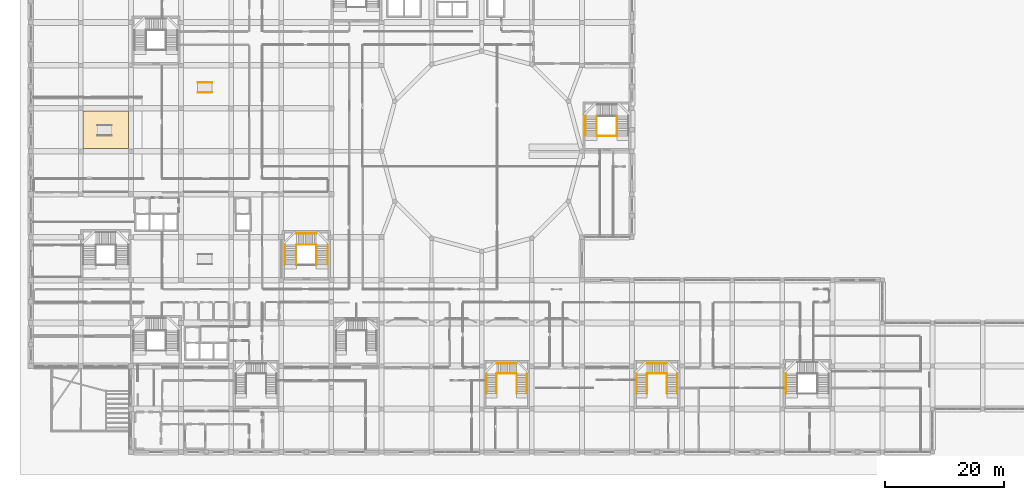
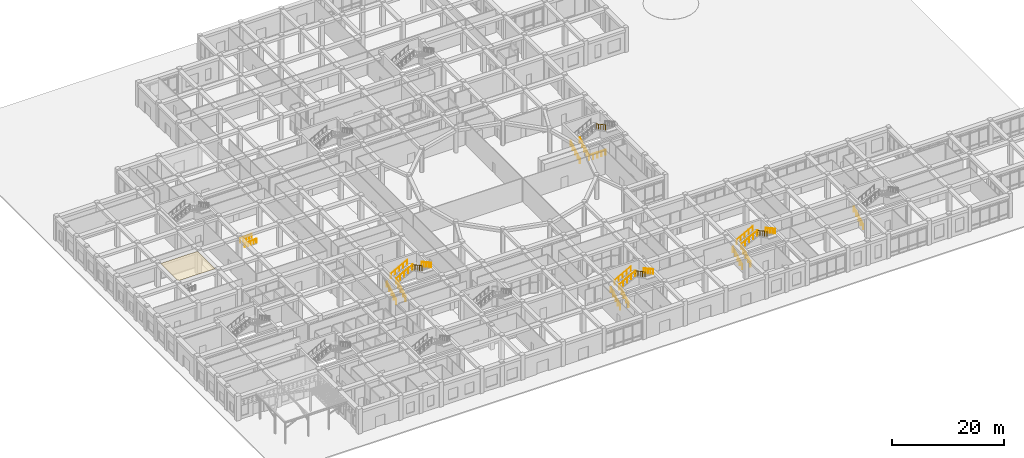
# One storey, part 81 of 84: 25 railings, 1 covering.
"""IFC4 building model written with IfcOpenShell, lengths in metres."""

from ifc_helpers import new_model, si_unit, derived_unit, direction, frame, origin, origin_2d, place, context, subcontext, project, spatial, polyline, circle, outline, extrude, material, layer, layer_set, type_object, element, save


model = new_model("IFC4")

# Units and contexts
model_context = context("Model", 3, precision=1e-05, world=origin(), true_north=direction((0.0, 1.0)))
body_context = subcontext(model_context, "Body", "Model", "MODEL_VIEW")
ifc_project = project(units=[si_unit("LENGTHUNIT", "METRE"), si_unit("AREAUNIT", "SQUARE_METRE"), si_unit("VOLUMEUNIT", "CUBIC_METRE"), si_unit("PLANEANGLEUNIT", "RADIAN"), si_unit("MASSUNIT", "GRAM", prefix="KILO"), derived_unit("THERMALTRANSMITTANCEUNIT", [(si_unit("POWERUNIT", "WATT"), 1), (si_unit("LENGTHUNIT", "METRE"), -2), (si_unit("THERMODYNAMICTEMPERATUREUNIT", "KELVIN"), -1)])], contexts=[model_context])

# Site, building, storey
site_placement = place(None, origin())
site = spatial("IfcSite", under=ifc_project, at=site_placement, CompositionType="ELEMENT")
building_placement = place(site_placement, origin())
building = spatial("IfcBuilding", under=site, at=building_placement, Name="Veybourne Emporium", CompositionType="ELEMENT")
storey_placement = place(building_placement, origin())
storey = spatial("IfcBuildingStorey", under=building, at=storey_placement, Name="L00", CompositionType="ELEMENT", Elevation=0.0)

# Covering
ifc_material_1 = material(Name="Mineral Acoustic Ceiling", Category="gypsum")
ifc_layer = layer(ifc_material_1, 0.02490234375)
ifc_layer_set = layer_set([ifc_layer], Name="Mineral Acoustic Ceiling")
covering_type = type_object("IfcCoveringType", Name="Ceiling_CLG-01", PredefinedType="CEILING", material=ifc_layer_set)
covering_placement = place(storey_placement, frame((0.0, 0.0, 5.054931640625)))
element("IfcCovering", 1, at=covering_placement, inside=storey, type_object=covering_type, Name="L00 coffered acoustic ceiling 03", PredefinedType="CEILING", context=body_context, shape_type="SweptSolid", body=[
    extrude(outline(polyline([(16.39990234375, 50.804931640625), (16.39990234375, 50.873046875), (8.824951171875, 50.873046875), (8.824951171875, 50.830078125), (8.798095703125, 50.830078125), (8.798095703125, 57.195068359375), (8.800048828125, 57.195068359375), (8.800048828125, 57.126953125), (16.375, 57.126953125), (16.375, 57.169921875), (16.402099609375, 57.169921875), (16.402099609375, 50.804931640625), (16.39990234375, 50.804931640625)])), origin(), (0.0, 0.0, 1.0), 0.025146484375),
])

# Railings
ifc_material_2 = material(Name="Brushed Stainless Steel", Category="steel")
railing_type_1 = type_object("IfcRailingType", Name="Guard_GR-01", PredefinedType="GUARDRAIL", material=ifc_material_2)
railing_1_placement = place(storey_placement, frame((44.510009765625, 31.39990234375, 0.0)))
element("IfcRailing", 2, at=railing_1_placement, inside=storey, type_object=railing_type_1, Name="L00 ST-05 stair guard 1", PredefinedType="GUARDRAIL", context=body_context, shape_type="SweptSolid", body=[
    extrude(circle(Radius=0.02392578125, at=origin_2d()), frame((0.0, 0.0, 1.1259765625), z_axis=(0.0, 0.877893090839, 0.478856681124), x_axis=(-1.0, 0.0, 0.0)), (0.0, 0.0, 1.0), 3.759033203125),
    extrude(circle(Radius=0.02392578125, at=origin_2d()), frame((0.0, 3.300048828125, 2.92578125), z_axis=(0.0, 1.0, 0.0), x_axis=(-1.0, 0.0, 0.0)), (0.0, 0.0, 1.0), 0.0400390625),
    extrude(circle(Radius=0.02099609375, at=origin_2d()), origin(), (0.0, 0.0, 1.0), 1.101806640625),
    extrude(circle(Radius=0.02099609375, at=origin_2d()), frame((0.0, 0.824951171875, 0.449951171875)), (0.0, 0.0, 1.0), 1.101806640625),
    extrude(circle(Radius=0.02099609375, at=origin_2d()), frame((0.0, 1.64990234375, 0.89990234375)), (0.0, 0.0, 1.0), 1.101806640625),
    extrude(circle(Radius=0.02099609375, at=origin_2d()), frame((0.0, 2.47509765625, 1.35009765625)), (0.0, 0.0, 1.0), 1.101806640625),
    extrude(circle(Radius=0.02099609375, at=origin_2d()), frame((0.0, 3.300048828125, 1.800048828125)), (0.0, 0.0, 1.0), 1.101806640625),
    extrude(circle(Radius=0.02099609375, at=origin_2d()), frame((0.0, 3.340087890625, 1.800048828125)), (0.0, 0.0, 1.0), 1.101806640625),
])
railing_2_placement = place(storey_placement, frame((44.510009765625, 34.739990234375, 1.800048828125)))
element("IfcRailing", 3, at=railing_2_placement, inside=storey, type_object=railing_type_1, Name="L00 ST-05 stair guard 2", PredefinedType="GUARDRAIL", context=body_context, shape_type="SweptSolid", body=[
    extrude(circle(Radius=0.02392578125, at=origin_2d()), frame((0.0, 0.0, 1.1259765625), z_axis=(0.880301621994, 0.0, 0.47441443308), x_axis=(0.0, 1.0, 0.0)), (0.0, 0.0, 1.0), 3.794189453125),
    extrude(circle(Radius=0.02392578125, at=origin_2d()), frame((3.340087890625, 0.0, 2.92578125), z_axis=(1.0, 0.0, 0.0), x_axis=(0.0, 1.0, 0.0)), (0.0, 0.0, 1.0), 0.039794921875),
    extrude(circle(Radius=0.02099609375, at=origin_2d()), origin(), (0.0, 0.0, 1.0), 1.101806640625),
    extrude(circle(Radius=0.02099609375, at=origin_2d()), frame((0.8349609375, 0.0, 0.449951171875)), (0.0, 0.0, 1.0), 1.101806640625),
    extrude(circle(Radius=0.02099609375, at=origin_2d()), frame((1.669921875, 0.0, 0.89990234375)), (0.0, 0.0, 1.0), 1.101806640625),
    extrude(circle(Radius=0.02099609375, at=origin_2d()), frame((2.505126953125, 0.0, 1.35009765625)), (0.0, 0.0, 1.0), 1.101806640625),
    extrude(circle(Radius=0.02099609375, at=origin_2d()), frame((3.340087890625, 0.0, 1.800048828125)), (0.0, 0.0, 1.0), 1.101806640625),
    extrude(circle(Radius=0.02099609375, at=origin_2d()), frame((3.3798828125, 0.0, 1.800048828125)), (0.0, 0.0, 1.0), 1.101806640625),
])
railing_3_placement = place(storey_placement, frame((47.889892578125, 34.739990234375, 3.60009765625)))
element("IfcRailing", 4, at=railing_3_placement, inside=storey, type_object=railing_type_1, Name="L00 ST-05 stair guard 3", PredefinedType="GUARDRAIL", context=body_context, shape_type="SweptSolid", body=[
    extrude(circle(Radius=0.02392578125, at=origin_2d()), frame((0.0, 0.0, 1.1259765625), z_axis=(0.0, -1.0, 0.0), x_axis=(1.0, 0.0, 0.0)), (0.0, 0.0, 1.0), 0.0400390625),
    extrude(circle(Radius=0.02392578125, at=origin_2d()), frame((0.0, -0.0400390625, 1.1259765625), z_axis=(0.0, -0.877920393143, 0.478806624122), x_axis=(1.0, 0.0, 0.0)), (0.0, 0.0, 1.0), 3.759033203125),
    extrude(circle(Radius=0.02099609375, at=origin_2d()), origin(), (0.0, 0.0, 1.0), 1.101806640625),
    extrude(circle(Radius=0.02099609375, at=origin_2d()), frame((0.0, -0.0400390625, 0.0)), (0.0, 0.0, 1.0), 1.101806640625),
    extrude(circle(Radius=0.02099609375, at=origin_2d()), frame((0.0, -0.864990234375, 0.449951171875)), (0.0, 0.0, 1.0), 1.101806640625),
    extrude(circle(Radius=0.02099609375, at=origin_2d()), frame((0.0, -1.68994140625, 0.89990234375)), (0.0, 0.0, 1.0), 1.101806640625),
    extrude(circle(Radius=0.02099609375, at=origin_2d()), frame((0.0, -2.51513671875, 1.349853515625)), (0.0, 0.0, 1.0), 1.101806640625),
    extrude(circle(Radius=0.02099609375, at=origin_2d()), frame((0.0, -3.340087890625, 1.7998046875)), (0.0, 0.0, 1.0), 1.101806640625),
])
railing_4_placement = place(storey_placement, frame((94.909912109375, 53.0, 0.0)))
element("IfcRailing", 5, at=railing_4_placement, inside=storey, type_object=railing_type_1, Name="L00 ST-07 stair guard 1", PredefinedType="GUARDRAIL", context=body_context, shape_type="SweptSolid", body=[
    extrude(circle(Radius=0.02392578125, at=origin_2d()), frame((0.0, 0.0, 1.1259765625), z_axis=(0.0, 0.877893090839, 0.478856681124), x_axis=(-1.0, 0.0, 0.0)), (0.0, 0.0, 1.0), 3.759033203125),
    extrude(circle(Radius=0.02392578125, at=origin_2d()), frame((0.0, 3.300048828125, 2.92578125), z_axis=(0.0, 1.0, 0.0), x_axis=(-1.0, 0.0, 0.0)), (0.0, 0.0, 1.0), 0.0400390625),
    extrude(circle(Radius=0.02099609375, at=origin_2d()), origin(), (0.0, 0.0, 1.0), 1.101806640625),
    extrude(circle(Radius=0.02099609375, at=origin_2d()), frame((0.0, 0.824951171875, 0.449951171875)), (0.0, 0.0, 1.0), 1.101806640625),
    extrude(circle(Radius=0.02099609375, at=origin_2d()), frame((0.0, 1.64990234375, 0.89990234375)), (0.0, 0.0, 1.0), 1.101806640625),
    extrude(circle(Radius=0.02099609375, at=origin_2d()), frame((0.0, 2.47509765625, 1.35009765625)), (0.0, 0.0, 1.0), 1.101806640625),
    extrude(circle(Radius=0.02099609375, at=origin_2d()), frame((0.0, 3.300048828125, 1.800048828125)), (0.0, 0.0, 1.0), 1.101806640625),
    extrude(circle(Radius=0.02099609375, at=origin_2d()), frame((0.0, 3.340087890625, 1.800048828125)), (0.0, 0.0, 1.0), 1.101806640625),
])
railing_5_placement = place(storey_placement, frame((98.2900390625, 56.340087890625, 3.60009765625)))
element("IfcRailing", 6, at=railing_5_placement, inside=storey, type_object=railing_type_1, Name="L00 ST-07 stair guard 3", PredefinedType="GUARDRAIL", context=body_context, shape_type="SweptSolid", body=[
    extrude(circle(Radius=0.02392578125, at=origin_2d()), frame((0.0, 0.0, 1.1259765625), z_axis=(0.0, -1.0, 0.0), x_axis=(1.0, 0.0, 0.0)), (0.0, 0.0, 1.0), 0.0400390625),
    extrude(circle(Radius=0.02392578125, at=origin_2d()), frame((0.0, -0.0400390625, 1.1259765625), z_axis=(0.0, -0.877920393143, 0.478806624122), x_axis=(1.0, 0.0, 0.0)), (0.0, 0.0, 1.0), 3.759033203125),
    extrude(circle(Radius=0.02099609375, at=origin_2d()), origin(), (0.0, 0.0, 1.0), 1.101806640625),
    extrude(circle(Radius=0.02099609375, at=origin_2d()), frame((0.0, -0.0400390625, 0.0)), (0.0, 0.0, 1.0), 1.101806640625),
    extrude(circle(Radius=0.02099609375, at=origin_2d()), frame((0.0, -0.864990234375, 0.449951171875)), (0.0, 0.0, 1.0), 1.101806640625),
    extrude(circle(Radius=0.02099609375, at=origin_2d()), frame((0.0, -1.68994140625, 0.89990234375)), (0.0, 0.0, 1.0), 1.101806640625),
    extrude(circle(Radius=0.02099609375, at=origin_2d()), frame((0.0, -2.51513671875, 1.349853515625)), (0.0, 0.0, 1.0), 1.101806640625),
    extrude(circle(Radius=0.02099609375, at=origin_2d()), frame((0.0, -3.340087890625, 1.7998046875)), (0.0, 0.0, 1.0), 1.101806640625),
])
railing_6_placement = place(storey_placement, frame((94.909912109375, 52.9599609375, 0.0)))
element("IfcRailing", 7, at=railing_6_placement, inside=storey, type_object=railing_type_1, Name="L00 ST-07 stair guard 4", PredefinedType="GUARDRAIL", context=body_context, shape_type="SweptSolid", body=[
    extrude(circle(Radius=0.02392578125, at=origin_2d()), frame((0.0, 0.0, 1.1259765625), z_axis=(1.0, 0.0, 0.0), x_axis=(0.0, 1.0, 0.0)), (0.0, 0.0, 1.0), 3.380126953125),
    extrude(circle(Radius=0.02099609375, at=origin_2d()), origin(), (0.0, 0.0, 1.0), 1.101806640625),
    extrude(circle(Radius=0.02099609375, at=origin_2d()), frame((0.844970703125, 0.0, 0.0)), (0.0, 0.0, 1.0), 1.101806640625),
    extrude(circle(Radius=0.02099609375, at=origin_2d()), frame((1.68994140625, 0.0, 0.0)), (0.0, 0.0, 1.0), 1.101806640625),
    extrude(circle(Radius=0.02099609375, at=origin_2d()), frame((2.53515625, 0.0, 0.0)), (0.0, 0.0, 1.0), 1.101806640625),
    extrude(circle(Radius=0.02099609375, at=origin_2d()), frame((3.380126953125, 0.0, 0.0)), (0.0, 0.0, 1.0), 1.101806640625),
])
railing_7_placement = place(storey_placement, frame((78.110107421875, 9.800048828125, 0.0)))
element("IfcRailing", 8, at=railing_7_placement, inside=storey, type_object=railing_type_1, Name="L00 ST-10 stair guard 1", PredefinedType="GUARDRAIL", context=body_context, shape_type="SweptSolid", body=[
    extrude(circle(Radius=0.02392578125, at=origin_2d()), frame((0.0, 0.0, 1.1259765625), z_axis=(0.0, 0.877893090839, 0.478856681124), x_axis=(-1.0, 0.0, 0.0)), (0.0, 0.0, 1.0), 3.759033203125),
    extrude(circle(Radius=0.02392578125, at=origin_2d()), frame((0.0, 3.300048828125, 2.92578125), z_axis=(0.0, 1.0, 0.0), x_axis=(-1.0, 0.0, 0.0)), (0.0, 0.0, 1.0), 0.039794921875),
    extrude(circle(Radius=0.02099609375, at=origin_2d()), origin(), (0.0, 0.0, 1.0), 1.101806640625),
    extrude(circle(Radius=0.02099609375, at=origin_2d()), frame((0.0, 0.824951171875, 0.449951171875)), (0.0, 0.0, 1.0), 1.101806640625),
    extrude(circle(Radius=0.02099609375, at=origin_2d()), frame((0.0, 1.64990234375, 0.89990234375)), (0.0, 0.0, 1.0), 1.101806640625),
    extrude(circle(Radius=0.02099609375, at=origin_2d()), frame((0.0, 2.47509765625, 1.35009765625)), (0.0, 0.0, 1.0), 1.101806640625),
    extrude(circle(Radius=0.02099609375, at=origin_2d()), frame((0.0, 3.300048828125, 1.800048828125)), (0.0, 0.0, 1.0), 1.101806640625),
    extrude(circle(Radius=0.02099609375, at=origin_2d()), frame((0.0, 3.33984375, 1.800048828125)), (0.0, 0.0, 1.0), 1.101806640625),
])
railing_8_placement = place(storey_placement, frame((78.110107421875, 13.139892578125, 1.800048828125)))
element("IfcRailing", 9, at=railing_8_placement, inside=storey, type_object=railing_type_1, Name="L00 ST-10 stair guard 2", PredefinedType="GUARDRAIL", context=body_context, shape_type="SweptSolid", body=[
    extrude(circle(Radius=0.02392578125, at=origin_2d()), frame((0.0, 0.0, 1.1259765625), z_axis=(0.880287138734, 0.0, 0.47444130657), x_axis=(0.0, 1.0, 0.0)), (0.0, 0.0, 1.0), 3.7939453125),
    extrude(circle(Radius=0.02392578125, at=origin_2d()), frame((3.33984375, 0.0, 2.92578125), z_axis=(1.0, 0.0, 0.0), x_axis=(0.0, 1.0, 0.0)), (0.0, 0.0, 1.0), 0.0400390625),
    extrude(circle(Radius=0.02099609375, at=origin_2d()), origin(), (0.0, 0.0, 1.0), 1.101806640625),
    extrude(circle(Radius=0.02099609375, at=origin_2d()), frame((0.8349609375, 0.0, 0.449951171875)), (0.0, 0.0, 1.0), 1.101806640625),
    extrude(circle(Radius=0.02099609375, at=origin_2d()), frame((1.669921875, 0.0, 0.89990234375)), (0.0, 0.0, 1.0), 1.101806640625),
    extrude(circle(Radius=0.02099609375, at=origin_2d()), frame((2.5048828125, 0.0, 1.35009765625)), (0.0, 0.0, 1.0), 1.101806640625),
    extrude(circle(Radius=0.02099609375, at=origin_2d()), frame((3.33984375, 0.0, 1.800048828125)), (0.0, 0.0, 1.0), 1.101806640625),
    extrude(circle(Radius=0.02099609375, at=origin_2d()), frame((3.3798828125, 0.0, 1.800048828125)), (0.0, 0.0, 1.0), 1.101806640625),
])
railing_9_placement = place(storey_placement, frame((81.489990234375, 13.139892578125, 3.60009765625)))
element("IfcRailing", 10, at=railing_9_placement, inside=storey, type_object=railing_type_1, Name="L00 ST-10 stair guard 3", PredefinedType="GUARDRAIL", context=body_context, shape_type="SweptSolid", body=[
    extrude(circle(Radius=0.02392578125, at=origin_2d()), frame((0.0, 0.0, 1.1259765625), z_axis=(0.0, -1.0, 0.0), x_axis=(1.0, 0.0, 0.0)), (0.0, 0.0, 1.0), 0.039794921875),
    extrude(circle(Radius=0.02392578125, at=origin_2d()), frame((0.0, -0.039794921875, 1.1259765625), z_axis=(0.0, -0.877920393143, 0.478806624122), x_axis=(1.0, 0.0, 0.0)), (0.0, 0.0, 1.0), 3.759033203125),
    extrude(circle(Radius=0.02099609375, at=origin_2d()), origin(), (0.0, 0.0, 1.0), 1.101806640625),
    extrude(circle(Radius=0.02099609375, at=origin_2d()), frame((0.0, -0.039794921875, 0.0)), (0.0, 0.0, 1.0), 1.101806640625),
    extrude(circle(Radius=0.02099609375, at=origin_2d()), frame((0.0, -0.86474609375, 0.449951171875)), (0.0, 0.0, 1.0), 1.101806640625),
    extrude(circle(Radius=0.02099609375, at=origin_2d()), frame((0.0, -1.68994140625, 0.89990234375)), (0.0, 0.0, 1.0), 1.101806640625),
    extrude(circle(Radius=0.02099609375, at=origin_2d()), frame((0.0, -2.514892578125, 1.349853515625)), (0.0, 0.0, 1.0), 1.101806640625),
    extrude(circle(Radius=0.02099609375, at=origin_2d()), frame((0.0, -3.33984375, 1.7998046875)), (0.0, 0.0, 1.0), 1.101806640625),
])
railing_10_placement = place(storey_placement, frame((103.31005859375, 9.800048828125, 0.0)))
element("IfcRailing", 11, at=railing_10_placement, inside=storey, type_object=railing_type_1, Name="L00 ST-11 stair guard 1", PredefinedType="GUARDRAIL", context=body_context, shape_type="SweptSolid", body=[
    extrude(circle(Radius=0.02392578125, at=origin_2d()), frame((0.0, 0.0, 1.1259765625), z_axis=(0.0, 0.877893090839, 0.478856681124), x_axis=(-1.0, 0.0, 0.0)), (0.0, 0.0, 1.0), 3.759033203125),
    extrude(circle(Radius=0.02392578125, at=origin_2d()), frame((0.0, 3.300048828125, 2.92578125), z_axis=(0.0, 1.0, 0.0), x_axis=(-1.0, 0.0, 0.0)), (0.0, 0.0, 1.0), 0.039794921875),
    extrude(circle(Radius=0.02099609375, at=origin_2d()), origin(), (0.0, 0.0, 1.0), 1.101806640625),
    extrude(circle(Radius=0.02099609375, at=origin_2d()), frame((0.0, 0.824951171875, 0.449951171875)), (0.0, 0.0, 1.0), 1.101806640625),
    extrude(circle(Radius=0.02099609375, at=origin_2d()), frame((0.0, 1.64990234375, 0.89990234375)), (0.0, 0.0, 1.0), 1.101806640625),
    extrude(circle(Radius=0.02099609375, at=origin_2d()), frame((0.0, 2.47509765625, 1.35009765625)), (0.0, 0.0, 1.0), 1.101806640625),
    extrude(circle(Radius=0.02099609375, at=origin_2d()), frame((0.0, 3.300048828125, 1.800048828125)), (0.0, 0.0, 1.0), 1.101806640625),
    extrude(circle(Radius=0.02099609375, at=origin_2d()), frame((0.0, 3.33984375, 1.800048828125)), (0.0, 0.0, 1.0), 1.101806640625),
])
railing_11_placement = place(storey_placement, frame((103.31005859375, 13.139892578125, 1.800048828125)))
element("IfcRailing", 12, at=railing_11_placement, inside=storey, type_object=railing_type_1, Name="L00 ST-11 stair guard 2", PredefinedType="GUARDRAIL", context=body_context, shape_type="SweptSolid", body=[
    extrude(circle(Radius=0.02392578125, at=origin_2d()), frame((0.0, 0.0, 1.1259765625), z_axis=(0.880287138734, 0.0, 0.47444130657), x_axis=(0.0, 1.0, 0.0)), (0.0, 0.0, 1.0), 3.7939453125),
    extrude(circle(Radius=0.02392578125, at=origin_2d()), frame((3.33984375, 0.0, 2.92578125), z_axis=(1.0, 0.0, 0.0), x_axis=(0.0, 1.0, 0.0)), (0.0, 0.0, 1.0), 0.0400390625),
    extrude(circle(Radius=0.02099609375, at=origin_2d()), origin(), (0.0, 0.0, 1.0), 1.101806640625),
    extrude(circle(Radius=0.02099609375, at=origin_2d()), frame((0.8349609375, 0.0, 0.449951171875)), (0.0, 0.0, 1.0), 1.101806640625),
    extrude(circle(Radius=0.02099609375, at=origin_2d()), frame((1.669921875, 0.0, 0.89990234375)), (0.0, 0.0, 1.0), 1.101806640625),
    extrude(circle(Radius=0.02099609375, at=origin_2d()), frame((2.5048828125, 0.0, 1.35009765625)), (0.0, 0.0, 1.0), 1.101806640625),
    extrude(circle(Radius=0.02099609375, at=origin_2d()), frame((3.33984375, 0.0, 1.800048828125)), (0.0, 0.0, 1.0), 1.101806640625),
    extrude(circle(Radius=0.02099609375, at=origin_2d()), frame((3.3798828125, 0.0, 1.800048828125)), (0.0, 0.0, 1.0), 1.101806640625),
])
railing_12_placement = place(storey_placement, frame((106.68994140625, 13.139892578125, 3.60009765625)))
element("IfcRailing", 13, at=railing_12_placement, inside=storey, type_object=railing_type_1, Name="L00 ST-11 stair guard 3", PredefinedType="GUARDRAIL", context=body_context, shape_type="SweptSolid", body=[
    extrude(circle(Radius=0.02392578125, at=origin_2d()), frame((0.0, 0.0, 1.1259765625), z_axis=(0.0, -1.0, 0.0), x_axis=(1.0, 0.0, 0.0)), (0.0, 0.0, 1.0), 0.039794921875),
    extrude(circle(Radius=0.02392578125, at=origin_2d()), frame((0.0, -0.039794921875, 1.1259765625), z_axis=(0.0, -0.877920393143, 0.478806624122), x_axis=(1.0, 0.0, 0.0)), (0.0, 0.0, 1.0), 3.759033203125),
    extrude(circle(Radius=0.02099609375, at=origin_2d()), origin(), (0.0, 0.0, 1.0), 1.101806640625),
    extrude(circle(Radius=0.02099609375, at=origin_2d()), frame((0.0, -0.039794921875, 0.0)), (0.0, 0.0, 1.0), 1.101806640625),
    extrude(circle(Radius=0.02099609375, at=origin_2d()), frame((0.0, -0.86474609375, 0.449951171875)), (0.0, 0.0, 1.0), 1.101806640625),
    extrude(circle(Radius=0.02099609375, at=origin_2d()), frame((0.0, -1.68994140625, 0.89990234375)), (0.0, 0.0, 1.0), 1.101806640625),
    extrude(circle(Radius=0.02099609375, at=origin_2d()), frame((0.0, -2.514892578125, 1.349853515625)), (0.0, 0.0, 1.0), 1.101806640625),
    extrude(circle(Radius=0.02099609375, at=origin_2d()), frame((0.0, -3.33984375, 1.7998046875)), (0.0, 0.0, 1.0), 1.101806640625),
])
railing_type_2 = type_object("IfcRailingType", Name="Handrail_HR-01", PredefinedType="HANDRAIL", material=ifc_material_2)
railing_13_placement = place(storey_placement, frame((42.610107421875, 31.39990234375, 0.14990234375)))
element("IfcRailing", 14, at=railing_13_placement, inside=storey, type_object=railing_type_2, Name="L00 ST-05 pitch handrail 1", PredefinedType="HANDRAIL", context=body_context, shape_type="SweptSolid", body=[
    extrude(circle(Radius=0.02392578125, at=origin_2d()), frame((0.0, 0.0, 0.92578125), z_axis=(0.0, 0.877893090839, 0.478856681124), x_axis=(-1.0, 0.0, 0.0)), (0.0, 0.0, 1.0), 3.759033203125),
    extrude(circle(Radius=0.02099609375, at=origin_2d()), frame((0.0, 0.0, -0.14990234375)), (0.0, 0.0, 1.0), 1.0517578125),
    extrude(circle(Radius=0.02099609375, at=origin_2d()), frame((0.0, 0.824951171875, 0.300048828125)), (0.0, 0.0, 1.0), 1.0517578125),
    extrude(circle(Radius=0.02099609375, at=origin_2d()), frame((0.0, 1.64990234375, 0.75)), (0.0, 0.0, 1.0), 1.0517578125),
    extrude(circle(Radius=0.02099609375, at=origin_2d()), frame((0.0, 2.47509765625, 1.2001953125)), (0.0, 0.0, 1.0), 1.0517578125),
    extrude(circle(Radius=0.02099609375, at=origin_2d()), frame((0.0, 3.300048828125, 1.650146484375)), (0.0, 0.0, 1.0), 1.0517578125),
])
railing_14_placement = place(storey_placement, frame((44.550048828125, 36.639892578125, 1.949951171875)))
element("IfcRailing", 15, at=railing_14_placement, inside=storey, type_object=railing_type_2, Name="L00 ST-05 pitch handrail 2", PredefinedType="HANDRAIL", context=body_context, shape_type="SweptSolid", body=[
    extrude(circle(Radius=0.02392578125, at=origin_2d()), frame((0.0, 0.0, 0.92578125), z_axis=(0.877893090839, 0.0, 0.478856681124), x_axis=(0.0, 1.0, 0.0)), (0.0, 0.0, 1.0), 3.759033203125),
    extrude(circle(Radius=0.02099609375, at=origin_2d()), frame((0.0, 0.0, -0.14990234375)), (0.0, 0.0, 1.0), 1.0517578125),
    extrude(circle(Radius=0.02099609375, at=origin_2d()), frame((0.824951171875, 0.0, 0.300048828125)), (0.0, 0.0, 1.0), 1.0517578125),
    extrude(circle(Radius=0.02099609375, at=origin_2d()), frame((1.64990234375, 0.0, 0.75)), (0.0, 0.0, 1.0), 1.0517578125),
    extrude(circle(Radius=0.02099609375, at=origin_2d()), frame((2.47509765625, 0.0, 1.2001953125)), (0.0, 0.0, 1.0), 1.0517578125),
    extrude(circle(Radius=0.02099609375, at=origin_2d()), frame((3.300048828125, 0.0, 1.650146484375)), (0.0, 0.0, 1.0), 1.0517578125),
])
railing_15_placement = place(storey_placement, frame((49.7900390625, 34.699951171875, 3.75)))
element("IfcRailing", 16, at=railing_15_placement, inside=storey, type_object=railing_type_2, Name="L00 ST-05 pitch handrail 3", PredefinedType="HANDRAIL", context=body_context, shape_type="SweptSolid", body=[
    extrude(circle(Radius=0.02392578125, at=origin_2d()), frame((0.0, 0.0, 0.92578125), z_axis=(0.0, -0.877893090839, 0.478856681124), x_axis=(1.0, 0.0, 0.0)), (0.0, 0.0, 1.0), 3.759033203125),
    extrude(circle(Radius=0.02099609375, at=origin_2d()), frame((0.0, 0.0, -0.14990234375)), (0.0, 0.0, 1.0), 1.0517578125),
    extrude(circle(Radius=0.02099609375, at=origin_2d()), frame((0.0, -0.824951171875, 0.300048828125)), (0.0, 0.0, 1.0), 1.0517578125),
    extrude(circle(Radius=0.02099609375, at=origin_2d()), frame((0.0, -1.64990234375, 0.75)), (0.0, 0.0, 1.0), 1.0517578125),
    extrude(circle(Radius=0.02099609375, at=origin_2d()), frame((0.0, -2.47509765625, 1.2001953125)), (0.0, 0.0, 1.0), 1.0517578125),
    extrude(circle(Radius=0.02099609375, at=origin_2d()), frame((0.0, -3.300048828125, 1.650146484375)), (0.0, 0.0, 1.0), 1.0517578125),
])
for number, where, name in (
    (17, (126.610107421875, 9.800048828125, 0.14990234375), "L00 ST-06 pitch handrail 1"),
    (18, (93.010009765625, 53.0, 0.14990234375), "L00 ST-07 pitch handrail 1"),
    (19, (76.409912109375, 9.800048828125, 0.14990234375), "L00 ST-10 pitch handrail 1"),
):
    element("IfcRailing", number, at=place(storey_placement, frame(where)), inside=storey, type_object=railing_type_2, Name=name, PredefinedType="HANDRAIL", context=body_context, shape_type="SweptSolid", body=[
        extrude(circle(Radius=0.02392578125, at=origin_2d()), frame((0.0, 0.0, 0.92578125), z_axis=(0.0, 0.877893090839, 0.478856681124), x_axis=(-1.0, 0.0, 0.0)), (0.0, 0.0, 1.0), 3.759033203125),
        extrude(circle(Radius=0.02099609375, at=origin_2d()), frame((0.0, 0.0, -0.14990234375)), (0.0, 0.0, 1.0), 1.0517578125),
        extrude(circle(Radius=0.02099609375, at=origin_2d()), frame((0.0, 0.824951171875, 0.300048828125)), (0.0, 0.0, 1.0), 1.0517578125),
        extrude(circle(Radius=0.02099609375, at=origin_2d()), frame((0.0, 1.64990234375, 0.75)), (0.0, 0.0, 1.0), 1.0517578125),
        extrude(circle(Radius=0.02099609375, at=origin_2d()), frame((0.0, 2.47509765625, 1.2001953125)), (0.0, 0.0, 1.0), 1.0517578125),
        extrude(circle(Radius=0.02099609375, at=origin_2d()), frame((0.0, 3.300048828125, 1.650146484375)), (0.0, 0.0, 1.0), 1.0517578125),
    ])
railing_16_placement = place(storey_placement, frame((78.14990234375, 14.840087890625, 1.949951171875)))
element("IfcRailing", 20, at=railing_16_placement, inside=storey, type_object=railing_type_2, Name="L00 ST-10 pitch handrail 2", PredefinedType="HANDRAIL", context=body_context, shape_type="SweptSolid", body=[
    extrude(circle(Radius=0.02392578125, at=origin_2d()), frame((0.0, 0.0, 0.92578125), z_axis=(0.877893090839, 0.0, 0.478856681124), x_axis=(0.0, 1.0, 0.0)), (0.0, 0.0, 1.0), 3.759033203125),
    extrude(circle(Radius=0.02099609375, at=origin_2d()), frame((0.0, 0.0, -0.14990234375)), (0.0, 0.0, 1.0), 1.0517578125),
    extrude(circle(Radius=0.02099609375, at=origin_2d()), frame((0.824951171875, 0.0, 0.300048828125)), (0.0, 0.0, 1.0), 1.0517578125),
    extrude(circle(Radius=0.02099609375, at=origin_2d()), frame((1.64990234375, 0.0, 0.75)), (0.0, 0.0, 1.0), 1.0517578125),
    extrude(circle(Radius=0.02099609375, at=origin_2d()), frame((2.47509765625, 0.0, 1.2001953125)), (0.0, 0.0, 1.0), 1.0517578125),
    extrude(circle(Radius=0.02099609375, at=origin_2d()), frame((3.300048828125, 0.0, 1.650146484375)), (0.0, 0.0, 1.0), 1.0517578125),
])
railing_17_placement = place(storey_placement, frame((83.18994140625, 13.10009765625, 3.75)))
element("IfcRailing", 21, at=railing_17_placement, inside=storey, type_object=railing_type_2, Name="L00 ST-10 pitch handrail 3", PredefinedType="HANDRAIL", context=body_context, shape_type="SweptSolid", body=[
    extrude(circle(Radius=0.02392578125, at=origin_2d()), frame((0.0, 0.0, 0.92578125), z_axis=(0.0, -0.877893090839, 0.478856681124), x_axis=(1.0, 0.0, 0.0)), (0.0, 0.0, 1.0), 3.759033203125),
    extrude(circle(Radius=0.02099609375, at=origin_2d()), frame((0.0, 0.0, -0.14990234375)), (0.0, 0.0, 1.0), 1.0517578125),
    extrude(circle(Radius=0.02099609375, at=origin_2d()), frame((0.0, -0.824951171875, 0.300048828125)), (0.0, 0.0, 1.0), 1.0517578125),
    extrude(circle(Radius=0.02099609375, at=origin_2d()), frame((0.0, -1.64990234375, 0.75)), (0.0, 0.0, 1.0), 1.0517578125),
    extrude(circle(Radius=0.02099609375, at=origin_2d()), frame((0.0, -2.47509765625, 1.2001953125)), (0.0, 0.0, 1.0), 1.0517578125),
    extrude(circle(Radius=0.02099609375, at=origin_2d()), frame((0.0, -3.300048828125, 1.650146484375)), (0.0, 0.0, 1.0), 1.0517578125),
])
railing_18_placement = place(storey_placement, frame((101.610107421875, 9.800048828125, 0.14990234375)))
element("IfcRailing", 22, at=railing_18_placement, inside=storey, type_object=railing_type_2, Name="L00 ST-11 pitch handrail 1", PredefinedType="HANDRAIL", context=body_context, shape_type="SweptSolid", body=[
    extrude(circle(Radius=0.02392578125, at=origin_2d()), frame((0.0, 0.0, 0.92578125), z_axis=(0.0, 0.877893090839, 0.478856681124), x_axis=(-1.0, 0.0, 0.0)), (0.0, 0.0, 1.0), 3.759033203125),
    extrude(circle(Radius=0.02099609375, at=origin_2d()), frame((0.0, 0.0, -0.14990234375)), (0.0, 0.0, 1.0), 1.0517578125),
    extrude(circle(Radius=0.02099609375, at=origin_2d()), frame((0.0, 0.824951171875, 0.300048828125)), (0.0, 0.0, 1.0), 1.0517578125),
    extrude(circle(Radius=0.02099609375, at=origin_2d()), frame((0.0, 1.64990234375, 0.75)), (0.0, 0.0, 1.0), 1.0517578125),
    extrude(circle(Radius=0.02099609375, at=origin_2d()), frame((0.0, 2.47509765625, 1.2001953125)), (0.0, 0.0, 1.0), 1.0517578125),
    extrude(circle(Radius=0.02099609375, at=origin_2d()), frame((0.0, 3.300048828125, 1.650146484375)), (0.0, 0.0, 1.0), 1.0517578125),
])
railing_19_placement = place(storey_placement, frame((103.35009765625, 14.840087890625, 1.949951171875)))
element("IfcRailing", 23, at=railing_19_placement, inside=storey, type_object=railing_type_2, Name="L00 ST-11 pitch handrail 2", PredefinedType="HANDRAIL", context=body_context, shape_type="SweptSolid", body=[
    extrude(circle(Radius=0.02392578125, at=origin_2d()), frame((0.0, 0.0, 0.92578125), z_axis=(0.8778781969, 0.0, 0.478883985332), x_axis=(0.0, 1.0, 0.0)), (0.0, 0.0, 1.0), 3.7587890625),
    extrude(circle(Radius=0.02099609375, at=origin_2d()), frame((0.0, 0.0, -0.14990234375)), (0.0, 0.0, 1.0), 1.0517578125),
    extrude(circle(Radius=0.02099609375, at=origin_2d()), frame((0.824951171875, 0.0, 0.300048828125)), (0.0, 0.0, 1.0), 1.0517578125),
    extrude(circle(Radius=0.02099609375, at=origin_2d()), frame((1.64990234375, 0.0, 0.75)), (0.0, 0.0, 1.0), 1.0517578125),
    extrude(circle(Radius=0.02099609375, at=origin_2d()), frame((2.474853515625, 0.0, 1.2001953125)), (0.0, 0.0, 1.0), 1.0517578125),
    extrude(circle(Radius=0.02099609375, at=origin_2d()), frame((3.2998046875, 0.0, 1.650146484375)), (0.0, 0.0, 1.0), 1.0517578125),
])
railing_20_placement = place(storey_placement, frame((108.389892578125, 13.10009765625, 3.75)))
element("IfcRailing", 24, at=railing_20_placement, inside=storey, type_object=railing_type_2, Name="L00 ST-11 pitch handrail 3", PredefinedType="HANDRAIL", context=body_context, shape_type="SweptSolid", body=[
    extrude(circle(Radius=0.02392578125, at=origin_2d()), frame((0.0, 0.0, 0.92578125), z_axis=(0.0, -0.877893090839, 0.478856681124), x_axis=(1.0, 0.0, 0.0)), (0.0, 0.0, 1.0), 3.759033203125),
    extrude(circle(Radius=0.02099609375, at=origin_2d()), frame((0.0, 0.0, -0.14990234375)), (0.0, 0.0, 1.0), 1.0517578125),
    extrude(circle(Radius=0.02099609375, at=origin_2d()), frame((0.0, -0.824951171875, 0.300048828125)), (0.0, 0.0, 1.0), 1.0517578125),
    extrude(circle(Radius=0.02099609375, at=origin_2d()), frame((0.0, -1.64990234375, 0.75)), (0.0, 0.0, 1.0), 1.0517578125),
    extrude(circle(Radius=0.02099609375, at=origin_2d()), frame((0.0, -2.47509765625, 1.2001953125)), (0.0, 0.0, 1.0), 1.0517578125),
    extrude(circle(Radius=0.02099609375, at=origin_2d()), frame((0.0, -3.300048828125, 1.650146484375)), (0.0, 0.0, 1.0), 1.0517578125),
])
for number, where, name in (
    (25, (28.0, 60.25, 0.0), "Ramp RMP-03 handrail 1"),
    (26, (28.0, 61.949951171875, 0.0), "Ramp RMP-03 handrail 2"),
):
    element("IfcRailing", number, at=place(storey_placement, frame(where)), inside=storey, type_object=railing_type_2, Name=name, PredefinedType="HANDRAIL", context=body_context, shape_type="SweptSolid", body=[
        extrude(circle(Radius=0.02392578125, at=origin_2d()), frame((0.0, 0.0, 0.92578125), z_axis=(0.998749803871, 0.0, 0.049988291303), x_axis=(0.0, 1.0, 0.0)), (0.0, 0.0, 1.0), 2.40283203125),
        extrude(circle(Radius=0.02099609375, at=origin_2d()), origin(), (0.0, 0.0, 1.0), 0.90185546875),
        extrude(circle(Radius=0.02099609375, at=origin_2d()), frame((0.60009765625, 0.0, 0.030029296875)), (0.0, 0.0, 1.0), 0.90185546875),
        extrude(circle(Radius=0.02099609375, at=origin_2d()), frame((1.199951171875, 0.0, 0.06005859375)), (0.0, 0.0, 1.0), 0.90185546875),
        extrude(circle(Radius=0.02099609375, at=origin_2d()), frame((1.7998046875, 0.0, 0.090087890625)), (0.0, 0.0, 1.0), 0.90185546875),
        extrude(circle(Radius=0.02099609375, at=origin_2d()), frame((2.39990234375, 0.0, 0.1201171875)), (0.0, 0.0, 1.0), 0.90185546875),
    ])

save(model, "model.ifc")
